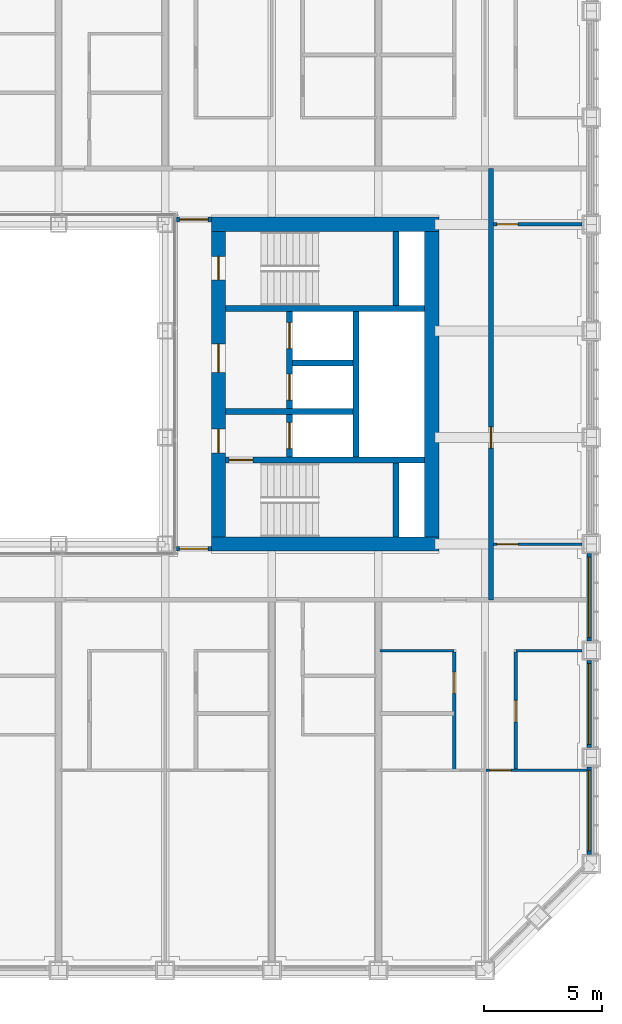
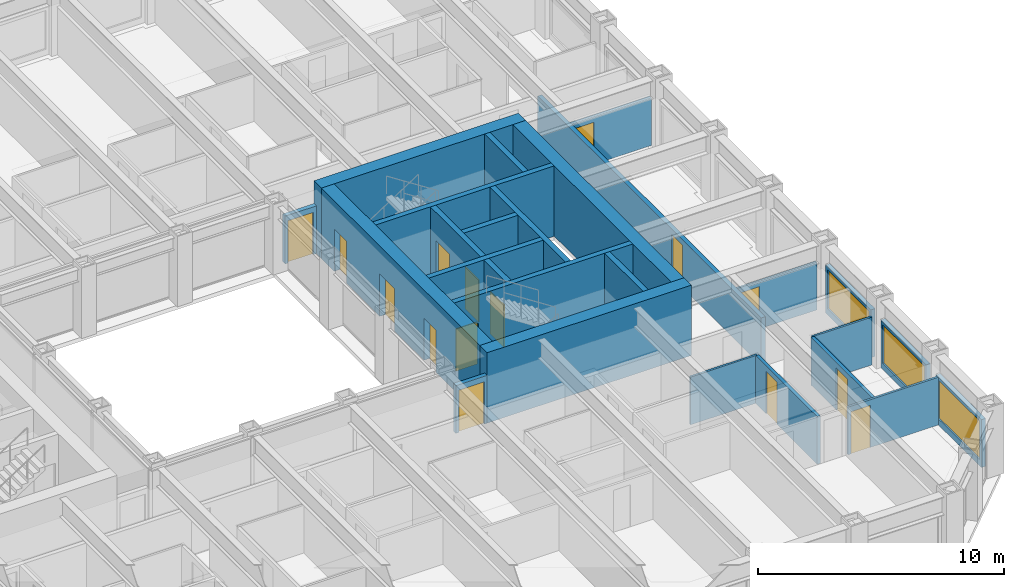
# One storey, part 12 of 21: 25 walls, 15 doors, 3 windows, 18 openings.
"""IFC4 building model written with IfcOpenShell, lengths in metres."""

from ifc_helpers import new_model, si_unit, direction, frame, frame_2d, origin, place, context, subcontext, project, spatial, rectangle, extrude, material, layer, layer_set, type_object, element, fill, save


model = new_model("IFC4")

# Units and contexts
model_context = context("Model", 3, precision=1e-05, world=origin(), true_north=direction((0.0, 1.0)))
body_context = subcontext(model_context, "Body", "Model", "MODEL_VIEW")
ifc_project = project(units=[si_unit("LENGTHUNIT", "METRE"), si_unit("AREAUNIT", "SQUARE_METRE"), si_unit("VOLUMEUNIT", "CUBIC_METRE"), si_unit("PLANEANGLEUNIT", "RADIAN"), si_unit("MASSUNIT", "GRAM", prefix="KILO")], contexts=[model_context])

# Site, building, storey
site_placement = place(None, origin())
site = spatial("IfcSite", under=ifc_project, at=site_placement, CompositionType="ELEMENT")
building_placement = place(site_placement, origin())
building = spatial("IfcBuilding", under=site, at=building_placement, Name="Msasa Ring Tower", CompositionType="ELEMENT")
storey_placement = place(building_placement, frame((0.0, 0.0, 40.5)))
storey = spatial("IfcBuildingStorey", under=building, at=storey_placement, Name="L09", CompositionType="ELEMENT", Elevation=40.5)

# Walls
ifc_material_1 = material(Name="Concrete C60/75", Category="concrete")
ifc_layer_1 = layer(ifc_material_1, 0.60009765625)
ifc_layer_set_1 = layer_set([ifc_layer_1], Name="CW1 CORE WALL 600")
wall_type_1 = type_object("IfcWallType", Name="CW1 CORE WALL 600", PredefinedType="SHEAR", material=ifc_layer_set_1)
for number, where, z_axis, x_axis, name in (
    (1, (8.699951171875, -6.75, 0.0), (0.0, 0.0, 1.0), (1.0, 0.0, 0.0), "E core wall S L09"),
    (2, (8.699951171875, 6.75, 0.0), (0.0, 0.0, 1.0), (1.0, 0.0, 0.0), "E core wall N L09"),
):
    element("IfcWall", number, at=place(storey_placement, frame(where, z_axis=z_axis, x_axis=x_axis)), inside=storey, type_object=wall_type_1, Name=name, PredefinedType="SHEAR", context=body_context, shape_type="SweptSolid", body=[
        extrude(rectangle(XDim=9.60009765625, YDim=0.60009765625, at=frame_2d((4.800048828125, 0.0))), origin(), (0.0, 0.0, 1.0), 3.5),
    ])

# Wall, openings, doors
wall_1_placement = place(storey_placement, frame((9.0, -6.449951171875, 0.0), z_axis=(0.0, 0.0, 1.0), x_axis=(0.0, 1.0, 0.0)))
wall_1 = element("IfcWall", 3, at=wall_1_placement, inside=storey, type_object=wall_type_1, Name="E core wall W L09", PredefinedType="SHEAR", context=body_context, shape_type="SweptSolid", body=[
    extrude(rectangle(XDim=12.89990234375, YDim=0.60009765625, at=frame_2d((6.449951171875, 0.0))), origin(), (0.0, 0.0, 1.0), 3.5),
])
opening_1_placement = place(wall_1_placement, frame((3.550048828125, 0.0, 0.0)))
opening_1 = element("IfcOpeningElement", 4, at=opening_1_placement, cuts=wall_1, Name="Opening RB-046", PredefinedType="OPENING", context=body_context, shape_type="SweptSolid", body=[
    extrude(rectangle(XDim=1.0, YDim=2.10009765625, at=frame_2d((0.5, 1.050048828125))), frame((0.0, 0.31005859375, 0.0), z_axis=(0.0, -1.0, 0.0), x_axis=(1.0, 0.0, 0.0)), (0.0, 0.0, 1.0), 0.6201171875),
])
opening_2_placement = place(wall_1_placement, frame((6.949951171875, 0.0, 0.0)))
opening_2 = element("IfcOpeningElement", 5, at=opening_2_placement, cuts=wall_1, Name="Opening RB-041", PredefinedType="OPENING", context=body_context, shape_type="SweptSolid", body=[
    extrude(rectangle(XDim=1.199951171875, YDim=2.10009765625, at=frame_2d((0.60009765625, 1.050048828125))), frame((0.0, 0.31005859375, 0.0), z_axis=(0.0, -1.0, 0.0), x_axis=(1.0, 0.0, 0.0)), (0.0, 0.0, 1.0), 0.6201171875),
])
opening_3_placement = place(wall_1_placement, frame((10.85009765625, 0.0, 0.0)))
opening_3 = element("IfcOpeningElement", 6, at=opening_3_placement, cuts=wall_1, Name="Opening RB-039", PredefinedType="OPENING", context=body_context, shape_type="SweptSolid", body=[
    extrude(rectangle(XDim=1.0, YDim=2.10009765625, at=frame_2d((0.5, 1.050048828125))), frame((0.0, 0.31005859375, 0.0), z_axis=(0.0, -1.0, 0.0), x_axis=(1.0, 0.0, 0.0)), (0.0, 0.0, 1.0), 0.6201171875),
])
ifc_material_2 = material(Name="Timber door leaf in a steel frame", Category="steel")
door_type_1 = type_object("IfcDoorType", Name="D4 LOBBY DOOR 1000x2100", OperationType="SINGLE_SWING_LEFT", PredefinedType="DOOR", material=ifc_material_2)
door_1_placement = place(opening_1_placement, origin())
door_1 = element("IfcDoor", 7, at=door_1_placement, inside=storey, type_object=door_type_1, Name="Door L09-EFFL", OperationType="SINGLE_SWING_LEFT", OverallHeight=2.10009765625, OverallWidth=1.0, PredefinedType="DOOR", context=body_context, shape_type="SweptSolid", body=[
    extrude(rectangle(XDim=1.0, YDim=2.10009765625, at=frame_2d((0.5, 1.050048828125))), frame((0.0, 0.02490234375, 0.0), z_axis=(0.0, -1.0, 0.0), x_axis=(1.0, 0.0, 0.0)), (0.0, 0.0, 1.0), 0.050048828125),
])
fill(opening_1, door_1)
ifc_material_3 = material(Name="Timber door leaf in a steel frame", Category="steel")
door_type_2 = type_object("IfcDoorType", Name="D5 WIDE LOBBY DOOR 1200x2100", OperationType="SINGLE_SWING_LEFT", PredefinedType="DOOR", material=ifc_material_3)
door_2_placement = place(opening_2_placement, origin())
door_2 = element("IfcDoor", 8, at=door_2_placement, inside=storey, type_object=door_type_2, Name="Door L09-ELL", OperationType="SINGLE_SWING_RIGHT", OverallHeight=2.10009765625, OverallWidth=1.199951171875, PredefinedType="DOOR", context=body_context, shape_type="SweptSolid", body=[
    extrude(rectangle(XDim=1.199951171875, YDim=2.10009765625, at=frame_2d((0.60009765625, 1.050048828125))), frame((0.0, 0.02490234375, 0.0), z_axis=(0.0, -1.0, 0.0), x_axis=(1.0, 0.0, 0.0)), (0.0, 0.0, 1.0), 0.050048828125),
])
fill(opening_2, door_2)
ifc_material_4 = material(Name="Timber door leaf in a steel frame", Category="steel")
door_type_3 = type_object("IfcDoorType", Name="D6 STAIR DOOR 1000x2100", OperationType="SINGLE_SWING_LEFT", PredefinedType="DOOR", material=ifc_material_4)
door_3_placement = place(opening_3_placement, origin())
door_3 = element("IfcDoor", 9, at=door_3_placement, inside=storey, type_object=door_type_3, Name="Door L09-ESTB", OperationType="SINGLE_SWING_RIGHT", OverallHeight=2.10009765625, OverallWidth=1.0, PredefinedType="DOOR", context=body_context, shape_type="SweptSolid", body=[
    extrude(rectangle(XDim=1.0, YDim=2.10009765625, at=frame_2d((0.5, 1.050048828125))), frame((0.0, 0.02490234375, 0.0), z_axis=(0.0, -1.0, 0.0), x_axis=(1.0, 0.0, 0.0)), (0.0, 0.0, 1.0), 0.050048828125),
])
fill(opening_3, door_3)

# Wall
wall_2_placement = place(storey_placement, frame((18.0, -6.449951171875, 0.0), z_axis=(0.0, 0.0, 1.0), x_axis=(0.0, 1.0, 0.0)))
element("IfcWall", 10, at=wall_2_placement, inside=storey, type_object=wall_type_1, Name="E core wall E L09", PredefinedType="SHEAR", context=body_context, shape_type="SweptSolid", body=[
    extrude(rectangle(XDim=12.89990234375, YDim=0.60009765625, at=frame_2d((6.449951171875, 0.0))), origin(), (0.0, 0.0, 1.0), 3.5),
])

# Wall, opening, door
ifc_material_5 = material(Name="Concrete C60/75", Category="concrete")
ifc_layer_2 = layer(ifc_material_5, 0.25)
ifc_layer_set_2 = layer_set([ifc_layer_2], Name="CW4 CORE INNER WALL 250")
wall_type_2 = type_object("IfcWallType", Name="CW4 CORE INNER WALL 250", PredefinedType="SHEAR", material=ifc_layer_set_2)
wall_3_placement = place(storey_placement, frame((9.300048828125, -3.199951171875, 0.0), z_axis=(0.0, 0.0, 1.0), x_axis=(1.0, 0.0, 0.0)))
wall_3 = element("IfcWall", 11, at=wall_3_placement, inside=storey, type_object=wall_type_2, Name="E core wall STAIRA L09", PredefinedType="SHEAR", context=body_context, shape_type="SweptSolid", body=[
    extrude(rectangle(XDim=8.39990234375, YDim=0.25, at=frame_2d((4.199951171875, 0.0))), origin(), (0.0, 0.0, 1.0), 3.5),
])
opening_4_placement = place(wall_3_placement, frame((0.14990234375, 0.0, 0.0)))
opening_4 = element("IfcOpeningElement", 12, at=opening_4_placement, cuts=wall_3, Name="Opening RB-048", PredefinedType="OPENING", context=body_context, shape_type="SweptSolid", body=[
    extrude(rectangle(XDim=1.0, YDim=2.10009765625, at=frame_2d((0.5, 1.050048828125))), frame((0.0, 0.135009765625, 0.0), z_axis=(0.0, -1.0, 0.0), x_axis=(1.0, 0.0, 0.0)), (0.0, 0.0, 1.0), 0.27001953125),
])
door_4_placement = place(opening_4_placement, origin())
door_4 = element("IfcDoor", 13, at=door_4_placement, inside=storey, type_object=door_type_3, Name="Door L09-ESTA", OperationType="SINGLE_SWING_LEFT", OverallHeight=2.10009765625, OverallWidth=1.0, PredefinedType="DOOR", context=body_context, shape_type="SweptSolid", body=[
    extrude(rectangle(XDim=1.0, YDim=2.10009765625, at=frame_2d((0.5, 1.050048828125))), frame((0.0, 0.02490234375, 0.0), z_axis=(0.0, -1.0, 0.0), x_axis=(1.0, 0.0, 0.0)), (0.0, 0.0, 1.0), 0.050048828125),
])
fill(opening_4, door_4)

# Walls
wall_4_placement = place(storey_placement, frame((9.300048828125, 3.199951171875, 0.0), z_axis=(0.0, 0.0, 1.0), x_axis=(1.0, 0.0, 0.0)))
element("IfcWall", 14, at=wall_4_placement, inside=storey, type_object=wall_type_2, Name="E core wall STAIRB L09", PredefinedType="SHEAR", context=body_context, shape_type="SweptSolid", body=[
    extrude(rectangle(XDim=8.39990234375, YDim=0.25, at=frame_2d((4.199951171875, 0.0))), origin(), (0.0, 0.0, 1.0), 3.5),
])
for number, where, z_axis, x_axis, name in (
    (15, (16.5, -6.449951171875, 0.0), (0.0, 0.0, 1.0), (0.0, 1.0, 0.0), "E core wall RISERA L09"),
    (16, (16.5, 3.324951171875, 0.0), (0.0, 0.0, 1.0), (0.0, 1.0, 0.0), "E core wall RISERB L09"),
):
    element("IfcWall", number, at=place(storey_placement, frame(where, z_axis=z_axis, x_axis=x_axis)), inside=storey, type_object=wall_type_2, Name=name, PredefinedType="SHEAR", context=body_context, shape_type="SweptSolid", body=[
        extrude(rectangle(XDim=3.125, YDim=0.25, at=frame_2d((1.5625, 0.0))), origin(), (0.0, 0.0, 1.0), 3.5),
    ])
wall_5_placement = place(storey_placement, frame((9.300048828125, -1.14990234375, 0.0), z_axis=(0.0, 0.0, 1.0), x_axis=(1.0, 0.0, 0.0)))
element("IfcWall", 17, at=wall_5_placement, inside=storey, type_object=wall_type_2, Name="E core wall FFL L09", PredefinedType="SHEAR", context=body_context, shape_type="SweptSolid", body=[
    extrude(rectangle(XDim=5.375, YDim=0.25, at=frame_2d((2.6875, 0.0))), origin(), (0.0, 0.0, 1.0), 3.5),
])

# Wall, openings, doors
wall_6_placement = place(storey_placement, frame((12.0, -3.074951171875, 0.0), z_axis=(0.0, 0.0, 1.0), x_axis=(0.0, 1.0, 0.0)))
wall_6 = element("IfcWall", 18, at=wall_6_placement, inside=storey, type_object=wall_type_2, Name="E core wall LOBBY L09", PredefinedType="SHEAR", context=body_context, shape_type="SweptSolid", body=[
    extrude(rectangle(XDim=6.14990234375, YDim=0.25, at=frame_2d((3.074951171875, 0.0))), origin(), (0.0, 0.0, 1.0), 3.5),
])
opening_5_placement = place(wall_6_placement, frame((0.35009765625, 0.0, 0.0)))
opening_5 = element("IfcOpeningElement", 19, at=opening_5_placement, cuts=wall_6, Name="Opening LD1", PredefinedType="OPENING", context=body_context, shape_type="SweptSolid", body=[
    extrude(rectangle(XDim=1.10009765625, YDim=2.10009765625, at=frame_2d((0.550048828125, 1.050048828125))), frame((0.0, 0.135009765625, 0.0), z_axis=(0.0, -1.0, 0.0), x_axis=(1.0, 0.0, 0.0)), (0.0, 0.0, 1.0), 0.27001953125),
])
opening_6_placement = place(wall_6_placement, frame((2.39990234375, 0.0, 0.0)))
opening_6 = element("IfcOpeningElement", 20, at=opening_6_placement, cuts=wall_6, Name="Opening LD1", PredefinedType="OPENING", context=body_context, shape_type="SweptSolid", body=[
    extrude(rectangle(XDim=1.10009765625, YDim=2.10009765625, at=frame_2d((0.550048828125, 1.050048828125))), frame((0.0, 0.135009765625, 0.0), z_axis=(0.0, -1.0, 0.0), x_axis=(1.0, 0.0, 0.0)), (0.0, 0.0, 1.0), 0.27001953125),
])
opening_7_placement = place(wall_6_placement, frame((4.574951171875, 0.0, 0.0)))
opening_7 = element("IfcOpeningElement", 21, at=opening_7_placement, cuts=wall_6, Name="Opening LD1", PredefinedType="OPENING", context=body_context, shape_type="SweptSolid", body=[
    extrude(rectangle(XDim=1.10009765625, YDim=2.10009765625, at=frame_2d((0.550048828125, 1.050048828125))), frame((0.0, 0.135009765625, 0.0), z_axis=(0.0, -1.0, 0.0), x_axis=(1.0, 0.0, 0.0)), (0.0, 0.0, 1.0), 0.27001953125),
])
ifc_material_6 = material(Name="Stainless steel lift landing door", Category="steel")
door_type_4 = type_object("IfcDoorType", Name="LD1 LIFT LANDING DOOR 1100x2100", OperationType="DOUBLE_DOOR_SLIDING", PredefinedType="DOOR", material=ifc_material_6)
door_5_placement = place(opening_5_placement, origin())
door_5 = element("IfcDoor", 22, at=door_5_placement, inside=storey, type_object=door_type_4, Name="Lift landing door FL-E L09", OperationType="DOUBLE_DOOR_SLIDING", OverallHeight=2.10009765625, OverallWidth=1.10009765625, PredefinedType="DOOR", context=body_context, shape_type="SweptSolid", body=[
    extrude(rectangle(XDim=1.10009765625, YDim=2.10009765625, at=frame_2d((0.550048828125, 1.050048828125))), frame((0.0, 0.02490234375, 0.0), z_axis=(0.0, -1.0, 0.0), x_axis=(1.0, 0.0, 0.0)), (0.0, 0.0, 1.0), 0.050048828125),
])
fill(opening_5, door_5)
door_6_placement = place(opening_6_placement, origin())
door_6 = element("IfcDoor", 23, at=door_6_placement, inside=storey, type_object=door_type_4, Name="Lift landing door PL-R1 L09", OperationType="DOUBLE_DOOR_SLIDING", OverallHeight=2.10009765625, OverallWidth=1.10009765625, PredefinedType="DOOR", context=body_context, shape_type="SweptSolid", body=[
    extrude(rectangle(XDim=1.10009765625, YDim=2.10009765625, at=frame_2d((0.550048828125, 1.050048828125))), frame((0.0, 0.02490234375, 0.0), z_axis=(0.0, -1.0, 0.0), x_axis=(1.0, 0.0, 0.0)), (0.0, 0.0, 1.0), 0.050048828125),
])
fill(opening_6, door_6)
door_7_placement = place(opening_7_placement, origin())
door_7 = element("IfcDoor", 24, at=door_7_placement, inside=storey, type_object=door_type_4, Name="Lift landing door PL-R2 L09", OperationType="DOUBLE_DOOR_SLIDING", OverallHeight=2.10009765625, OverallWidth=1.10009765625, PredefinedType="DOOR", context=body_context, shape_type="SweptSolid", body=[
    extrude(rectangle(XDim=1.10009765625, YDim=2.10009765625, at=frame_2d((0.550048828125, 1.050048828125))), frame((0.0, 0.02490234375, 0.0), z_axis=(0.0, -1.0, 0.0), x_axis=(1.0, 0.0, 0.0)), (0.0, 0.0, 1.0), 0.050048828125),
])
fill(opening_7, door_7)

# Walls
wall_7_placement = place(storey_placement, frame((14.800048828125, -3.074951171875, 0.0), z_axis=(0.0, 0.0, 1.0), x_axis=(0.0, 1.0, 0.0)))
element("IfcWall", 25, at=wall_7_placement, inside=storey, type_object=wall_type_2, Name="E core wall SHAFT L09", PredefinedType="SHEAR", context=body_context, shape_type="SweptSolid", body=[
    extrude(rectangle(XDim=6.14990234375, YDim=0.25, at=frame_2d((3.074951171875, 0.0))), origin(), (0.0, 0.0, 1.0), 3.5),
])
wall_8_placement = place(storey_placement, frame((12.125, 0.89990234375, 0.0), z_axis=(0.0, 0.0, 1.0), x_axis=(1.0, 0.0, 0.0)))
element("IfcWall", 26, at=wall_8_placement, inside=storey, type_object=wall_type_2, Name="E core wall LIFT1 L09", PredefinedType="SHEAR", context=body_context, shape_type="SweptSolid", body=[
    extrude(rectangle(XDim=2.550048828125, YDim=0.25, at=frame_2d((1.27490234375, 0.0))), origin(), (0.0, 0.0, 1.0), 3.5),
])

# Wall, opening, window
ifc_material_7 = material(Name="Terracotta rainscreen on blockwork", Category="masonry")
ifc_layer_3 = layer(ifc_material_7, 0.199951171875)
ifc_layer_set_3 = layer_set([ifc_layer_3], Name="FW1 TERRACOTTA-LINED INFILL BAY WALL 200")
wall_type_3 = type_object("IfcWallType", Name="FW1 TERRACOTTA-LINED INFILL BAY WALL 200", PredefinedType="SOLIDWALL", material=ifc_layer_set_3)
wall_9_placement = place(storey_placement, frame((24.64990234375, -19.844970703125, 0.0), z_axis=(0.0, 0.0, 1.0), x_axis=(0.0, 1.0, 0.0)))
wall_9 = element("IfcWall", 27, at=wall_9_placement, inside=storey, type_object=wall_type_3, Name="Infill bay wall E L09 11", PredefinedType="SOLIDWALL", context=body_context, shape_type="SweptSolid", body=[
    extrude(rectangle(XDim=3.68994140625, YDim=0.199951171875, at=frame_2d((1.844970703125, 0.0))), origin(), (0.0, 0.0, 1.0), 2.37890625),
])
opening_8_placement = place(wall_9_placement, frame((0.14501953125, 0.0, 0.300048828125)))
opening_8 = element("IfcOpeningElement", 28, at=opening_8_placement, cuts=wall_9, Name="Opening WN1", PredefinedType="OPENING", context=body_context, shape_type="SweptSolid", body=[
    extrude(rectangle(XDim=3.39990234375, YDim=1.928955078125, at=frame_2d((1.699951171875, 0.96435546875))), frame((0.0, 0.10986328125, 0.0), z_axis=(0.0, -1.0, 0.0), x_axis=(1.0, 0.0, 0.0)), (0.0, 0.0, 1.0), 0.219970703125),
])
ifc_material_8 = material(Name="Aluminium frame with clear glass", Category="aluminium")
window_type = type_object("IfcWindowType", Name="WN1 RESIDENCE WINDOW 3400x1929", PartitioningType="SINGLE_PANEL", PredefinedType="WINDOW", material=ifc_material_8)
window_1_placement = place(opening_8_placement, origin())
window_1 = element("IfcWindow", 29, at=window_1_placement, inside=storey, type_object=window_type, Name="Window E L09 11", OverallHeight=1.928955078125, OverallWidth=3.39990234375, PartitioningType="SINGLE_PANEL", PredefinedType="WINDOW", context=body_context, shape_type="SweptSolid", body=[
    extrude(rectangle(XDim=3.39990234375, YDim=1.928955078125, at=frame_2d((1.699951171875, 0.96435546875))), frame((0.0, 0.030029296875, 0.0), z_axis=(0.0, -1.0, 0.0), x_axis=(1.0, 0.0, 0.0)), (0.0, 0.0, 1.0), 0.06005859375),
])
fill(opening_8, window_1)

wall_10_placement = place(storey_placement, frame((24.64990234375, -15.344970703125, 0.0), z_axis=(0.0, 0.0, 1.0), x_axis=(0.0, 1.0, 0.0)))
wall_10 = element("IfcWall", 30, at=wall_10_placement, inside=storey, type_object=wall_type_3, Name="Infill bay wall E L09 12", PredefinedType="SOLIDWALL", context=body_context, shape_type="SweptSolid", body=[
    extrude(rectangle(XDim=3.68994140625, YDim=0.199951171875, at=frame_2d((1.844970703125, 0.0))), origin(), (0.0, 0.0, 1.0), 2.37890625),
])
opening_9_placement = place(wall_10_placement, frame((0.14501953125, 0.0, 0.300048828125)))
opening_9 = element("IfcOpeningElement", 31, at=opening_9_placement, cuts=wall_10, Name="Opening WN1", PredefinedType="OPENING", context=body_context, shape_type="SweptSolid", body=[
    extrude(rectangle(XDim=3.39990234375, YDim=1.928955078125, at=frame_2d((1.699951171875, 0.96435546875))), frame((0.0, 0.10986328125, 0.0), z_axis=(0.0, -1.0, 0.0), x_axis=(1.0, 0.0, 0.0)), (0.0, 0.0, 1.0), 0.219970703125),
])
window_2_placement = place(opening_9_placement, origin())
window_2 = element("IfcWindow", 32, at=window_2_placement, inside=storey, type_object=window_type, Name="Window E L09 12", OverallHeight=1.928955078125, OverallWidth=3.39990234375, PartitioningType="SINGLE_PANEL", PredefinedType="WINDOW", context=body_context, shape_type="SweptSolid", body=[
    extrude(rectangle(XDim=3.39990234375, YDim=1.928955078125, at=frame_2d((1.699951171875, 0.96435546875))), frame((0.0, 0.030029296875, 0.0), z_axis=(0.0, -1.0, 0.0), x_axis=(1.0, 0.0, 0.0)), (0.0, 0.0, 1.0), 0.06005859375),
])
fill(opening_9, window_2)

wall_11_placement = place(storey_placement, frame((24.64990234375, -10.844970703125, 0.0), z_axis=(0.0, 0.0, 1.0), x_axis=(0.0, 1.0, 0.0)))
wall_11 = element("IfcWall", 33, at=wall_11_placement, inside=storey, type_object=wall_type_3, Name="Infill bay wall E L09 13", PredefinedType="SOLIDWALL", context=body_context, shape_type="SweptSolid", body=[
    extrude(rectangle(XDim=3.68994140625, YDim=0.199951171875, at=frame_2d((1.844970703125, 0.0))), origin(), (0.0, 0.0, 1.0), 2.37890625),
])
opening_10_placement = place(wall_11_placement, frame((0.14501953125, 0.0, 0.300048828125)))
opening_10 = element("IfcOpeningElement", 34, at=opening_10_placement, cuts=wall_11, Name="Opening WN1", PredefinedType="OPENING", context=body_context, shape_type="SweptSolid", body=[
    extrude(rectangle(XDim=3.39990234375, YDim=1.928955078125, at=frame_2d((1.699951171875, 0.96435546875))), frame((0.0, 0.10986328125, 0.0), z_axis=(0.0, -1.0, 0.0), x_axis=(1.0, 0.0, 0.0)), (0.0, 0.0, 1.0), 0.219970703125),
])
window_3_placement = place(opening_10_placement, origin())
window_3 = element("IfcWindow", 35, at=window_3_placement, inside=storey, type_object=window_type, Name="Window E L09 13", OverallHeight=1.928955078125, OverallWidth=3.39990234375, PartitioningType="SINGLE_PANEL", PredefinedType="WINDOW", context=body_context, shape_type="SweptSolid", body=[
    extrude(rectangle(XDim=3.39990234375, YDim=1.928955078125, at=frame_2d((1.699951171875, 0.96435546875))), frame((0.0, 0.030029296875, 0.0), z_axis=(0.0, -1.0, 0.0), x_axis=(1.0, 0.0, 0.0)), (0.0, 0.0, 1.0), 0.06005859375),
])
fill(opening_10, window_3)

# Wall, opening, door
ifc_material_9 = material(Name="Concrete blockwork", Category="masonry")
ifc_layer_4 = layer(ifc_material_9, 0.199951171875)
ifc_layer_set_4 = layer_set([ifc_layer_4], Name="PT1 CORRIDOR WALL 200")
wall_type_4 = type_object("IfcWallType", Name="PT1 CORRIDOR WALL 200", PredefinedType="PARTITIONING", material=ifc_layer_set_4)
wall_12_placement = place(storey_placement, frame((7.22998046875, 6.949951171875, 0.0), z_axis=(0.0, 0.0, 1.0), x_axis=(1.0, 0.0, 0.0)))
wall_12 = element("IfcWall", 36, at=wall_12_placement, inside=storey, type_object=wall_type_4, Name="Corridor wall L09-SDEN", PredefinedType="PARTITIONING", context=body_context, shape_type="SweptSolid", body=[
    extrude(rectangle(XDim=1.469970703125, YDim=0.199951171875, at=frame_2d((0.73486328125, 0.0))), origin(), (0.0, 0.0, 1.0), 2.373291015625),
])
opening_11_placement = place(wall_12_placement, frame((0.135009765625, 0.0, 0.0)))
opening_11 = element("IfcOpeningElement", 37, at=opening_11_placement, cuts=wall_12, Name="Opening RB-035", PredefinedType="OPENING", context=body_context, shape_type="SweptSolid", body=[
    extrude(rectangle(XDim=1.199951171875, YDim=2.10009765625, at=frame_2d((0.60009765625, 1.050048828125))), frame((0.0, 0.10986328125, 0.0), z_axis=(0.0, -1.0, 0.0), x_axis=(1.0, 0.0, 0.0)), (0.0, 0.0, 1.0), 0.219970703125),
])
ifc_material_10 = material(Name="Timber door leaf in a steel frame", Category="steel")
door_type_5 = type_object("IfcDoorType", Name="D25 CORRIDOR PAIR OF SMOKE DOORS 1200x2100", OperationType="DOUBLE_DOOR_DOUBLE_SWING", PredefinedType="DOOR", material=ifc_material_10)
door_8_placement = place(opening_11_placement, origin())
door_8 = element("IfcDoor", 38, at=door_8_placement, inside=storey, type_object=door_type_5, Name="Door L09-SDEN", OperationType="DOUBLE_DOOR_DOUBLE_SWING", OverallHeight=2.10009765625, OverallWidth=1.199951171875, PredefinedType="DOOR", context=body_context, shape_type="SweptSolid", body=[
    extrude(rectangle(XDim=1.199951171875, YDim=2.10009765625, at=frame_2d((0.60009765625, 1.050048828125))), frame((0.0, 0.02490234375, 0.0), z_axis=(0.0, -1.0, 0.0), x_axis=(1.0, 0.0, 0.0)), (0.0, 0.0, 1.0), 0.050048828125),
])
fill(opening_11, door_8)

wall_13_placement = place(storey_placement, frame((7.22998046875, -6.949951171875, 0.0), z_axis=(0.0, 0.0, 1.0), x_axis=(1.0, 0.0, 0.0)))
wall_13 = element("IfcWall", 39, at=wall_13_placement, inside=storey, type_object=wall_type_4, Name="Corridor wall L09-SDES", PredefinedType="PARTITIONING", context=body_context, shape_type="SweptSolid", body=[
    extrude(rectangle(XDim=1.469970703125, YDim=0.199951171875, at=frame_2d((0.73486328125, 0.0))), origin(), (0.0, 0.0, 1.0), 2.373291015625),
])
opening_12_placement = place(wall_13_placement, frame((0.135009765625, 0.0, 0.0)))
opening_12 = element("IfcOpeningElement", 40, at=opening_12_placement, cuts=wall_13, Name="Opening RB-052", PredefinedType="OPENING", context=body_context, shape_type="SweptSolid", body=[
    extrude(rectangle(XDim=1.199951171875, YDim=2.10009765625, at=frame_2d((0.60009765625, 1.050048828125))), frame((0.0, 0.10986328125, 0.0), z_axis=(0.0, -1.0, 0.0), x_axis=(1.0, 0.0, 0.0)), (0.0, 0.0, 1.0), 0.219970703125),
])
door_9_placement = place(opening_12_placement, origin())
door_9 = element("IfcDoor", 41, at=door_9_placement, inside=storey, type_object=door_type_5, Name="Door L09-SDES", OperationType="DOUBLE_DOOR_DOUBLE_SWING", OverallHeight=2.10009765625, OverallWidth=1.199951171875, PredefinedType="DOOR", context=body_context, shape_type="SweptSolid", body=[
    extrude(rectangle(XDim=1.199951171875, YDim=2.10009765625, at=frame_2d((0.60009765625, 1.050048828125))), frame((0.0, 0.02490234375, 0.0), z_axis=(0.0, -1.0, 0.0), x_axis=(1.0, 0.0, 0.0)), (0.0, 0.0, 1.0), 0.050048828125),
])
fill(opening_12, door_9)

wall_14_placement = place(storey_placement, frame((20.5, -9.10009765625, 0.0), z_axis=(0.0, 0.0, 1.0), x_axis=(0.0, 1.0, 0.0)))
wall_14 = element("IfcWall", 42, at=wall_14_placement, inside=storey, type_object=wall_type_4, Name="Corridor wall L09-STRE", PredefinedType="PARTITIONING", context=body_context, shape_type="SweptSolid", body=[
    extrude(rectangle(XDim=18.2001953125, YDim=0.199951171875, at=frame_2d((9.10009765625, 0.0))), origin(), (0.0, 0.0, 1.0), 2.373291015625),
])
opening_13_placement = place(wall_14_placement, frame((6.39990234375, 0.0, 0.0)))
opening_13 = element("IfcOpeningElement", 43, at=opening_13_placement, cuts=wall_14, Name="Opening RB-044", PredefinedType="OPENING", context=body_context, shape_type="SweptSolid", body=[
    extrude(rectangle(XDim=0.89990234375, YDim=2.10009765625, at=frame_2d((0.449951171875, 1.050048828125))), frame((0.0, 0.10986328125, 0.0), z_axis=(0.0, -1.0, 0.0), x_axis=(1.0, 0.0, 0.0)), (0.0, 0.0, 1.0), 0.219970703125),
])
ifc_material_11 = material(Name="Timber door leaf in a steel frame", Category="steel")
door_type_6 = type_object("IfcDoorType", Name="D2 ENTRANCE DOOR 900x2100", OperationType="SINGLE_SWING_LEFT", PredefinedType="DOOR", material=ifc_material_11)
door_10_placement = place(opening_13_placement, origin())
door_10 = element("IfcDoor", 44, at=door_10_placement, inside=storey, type_object=door_type_6, Name="Door L09-STE", OperationType="SINGLE_SWING_LEFT", OverallHeight=2.10009765625, OverallWidth=0.89990234375, PredefinedType="DOOR", context=body_context, shape_type="SweptSolid", body=[
    extrude(rectangle(XDim=0.89990234375, YDim=2.10009765625, at=frame_2d((0.449951171875, 1.050048828125))), frame((0.0, 0.02490234375, 0.0), z_axis=(0.0, -1.0, 0.0), x_axis=(1.0, 0.0, 0.0)), (0.0, 0.0, 1.0), 0.050048828125),
])
fill(opening_13, door_10)

# Wall
ifc_material_12 = material(Name="Gypsum board on steel studs", Category="steel")
ifc_layer_5 = layer(ifc_material_12, 0.10009765625)
ifc_layer_set_5 = layer_set([ifc_layer_5], Name="PT2 STUD PARTITION 100")
wall_type_5 = type_object("IfcWallType", Name="PT2 STUD PARTITION 100", PredefinedType="PARTITIONING", material=ifc_layer_set_5)
wall_15_placement = place(storey_placement, frame((21.550048828125, -11.25, 0.0), z_axis=(0.0, 0.0, 1.0), x_axis=(1.0, 0.0, 0.0)))
element("IfcWall", 45, at=wall_15_placement, inside=storey, type_object=wall_type_5, Name="Partition L09-US06HY0", PredefinedType="PARTITIONING", context=body_context, shape_type="SweptSolid", body=[
    extrude(rectangle(XDim=2.800048828125, YDim=0.10009765625, at=frame_2d((1.39990234375, 0.0))), origin(), (0.0, 0.0, 1.0), 2.373291015625),
])

# Wall, opening, door
wall_16_placement = place(storey_placement, frame((20.300048828125, -16.300048828125, 0.0), z_axis=(0.0, 0.0, 1.0), x_axis=(1.0, 0.0, 0.0)))
wall_16 = element("IfcWall", 46, at=wall_16_placement, inside=storey, type_object=wall_type_5, Name="Partition L09-US06SY0", PredefinedType="PARTITIONING", context=body_context, shape_type="SweptSolid", body=[
    extrude(rectangle(XDim=4.25, YDim=0.10009765625, at=frame_2d((2.125, 0.0))), origin(), (0.0, 0.0, 1.0), 2.373291015625),
])
opening_14_placement = place(wall_16_placement, frame((0.14990234375, 0.0, 0.0)))
opening_14 = element("IfcOpeningElement", 47, at=opening_14_placement, cuts=wall_16, Name="Opening RB-085", PredefinedType="OPENING", context=body_context, shape_type="SweptSolid", body=[
    extrude(rectangle(XDim=0.89990234375, YDim=2.10009765625, at=frame_2d((0.449951171875, 1.050048828125))), frame((0.0, 0.06005859375, 0.0), z_axis=(0.0, -1.0, 0.0), x_axis=(1.0, 0.0, 0.0)), (0.0, 0.0, 1.0), 0.1201171875),
])
ifc_material_13 = material(Name="Timber door leaf in a steel frame", Category="steel")
door_type_7 = type_object("IfcDoorType", Name="D22 INTERNAL HALL DOOR 900x2100", OperationType="SINGLE_SWING_LEFT", PredefinedType="DOOR", material=ifc_material_13)
door_11_placement = place(opening_14_placement, origin())
door_11 = element("IfcDoor", 48, at=door_11_placement, inside=storey, type_object=door_type_7, Name="Door L09-US06L", OperationType="SINGLE_SWING_LEFT", OverallHeight=2.10009765625, OverallWidth=0.89990234375, PredefinedType="DOOR", context=body_context, shape_type="SweptSolid", body=[
    extrude(rectangle(XDim=0.89990234375, YDim=2.10009765625, at=frame_2d((0.449951171875, 1.050048828125))), frame((0.0, 0.02490234375, 0.0), z_axis=(0.0, -1.0, 0.0), x_axis=(1.0, 0.0, 0.0)), (0.0, 0.0, 1.0), 0.050048828125),
])
fill(opening_14, door_11)

# Wall
wall_17_placement = place(storey_placement, frame((15.81005859375, -11.25, 0.0), z_axis=(0.0, 0.0, 1.0), x_axis=(1.0, 0.0, 0.0)))
element("IfcWall", 49, at=wall_17_placement, inside=storey, type_object=wall_type_5, Name="Partition L09-US06HY1", PredefinedType="PARTITIONING", context=body_context, shape_type="SweptSolid", body=[
    extrude(rectangle(XDim=3.139892578125, YDim=0.10009765625, at=frame_2d((1.56982421875, 0.0))), origin(), (0.0, 0.0, 1.0), 2.373291015625),
])

# Wall, opening, door
wall_18_placement = place(storey_placement, frame((20.60009765625, -6.75, 0.0), z_axis=(0.0, 0.0, 1.0), x_axis=(1.0, 0.0, 0.0)))
wall_18 = element("IfcWall", 50, at=wall_18_placement, inside=storey, type_object=wall_type_5, Name="Partition L09-STEKY", PredefinedType="PARTITIONING", context=body_context, shape_type="SweptSolid", body=[
    extrude(rectangle(XDim=3.75, YDim=0.10009765625, at=frame_2d((1.875, 0.0))), origin(), (0.0, 0.0, 1.0), 2.373291015625),
])
opening_15_placement = place(wall_18_placement, frame((0.14990234375, 0.0, 0.0)))
opening_15 = element("IfcOpeningElement", 51, at=opening_15_placement, cuts=wall_18, Name="Opening RB-050", PredefinedType="OPENING", context=body_context, shape_type="SweptSolid", body=[
    extrude(rectangle(XDim=0.89990234375, YDim=2.10009765625, at=frame_2d((0.449951171875, 1.050048828125))), frame((0.0, 0.06005859375, 0.0), z_axis=(0.0, -1.0, 0.0), x_axis=(1.0, 0.0, 0.0)), (0.0, 0.0, 1.0), 0.1201171875),
])
door_12_placement = place(opening_15_placement, origin())
door_12 = element("IfcDoor", 52, at=door_12_placement, inside=storey, type_object=door_type_7, Name="Door L09-STEK", OperationType="SINGLE_SWING_LEFT", OverallHeight=2.10009765625, OverallWidth=0.89990234375, PredefinedType="DOOR", context=body_context, shape_type="SweptSolid", body=[
    extrude(rectangle(XDim=0.89990234375, YDim=2.10009765625, at=frame_2d((0.449951171875, 1.050048828125))), frame((0.0, 0.02490234375, 0.0), z_axis=(0.0, -1.0, 0.0), x_axis=(1.0, 0.0, 0.0)), (0.0, 0.0, 1.0), 0.050048828125),
])
fill(opening_15, door_12)

ifc_material_14 = material(Name="Moisture-resistant board on steel studs with a concealed cistern and pipe void, tiled", Category="steel")
ifc_layer_6 = layer(ifc_material_14, 0.14990234375)
ifc_layer_set_6 = layer_set([ifc_layer_6], Name="PT4 BATHROOM WET WALL 150")
wall_type_6 = type_object("IfcWallType", Name="PT4 BATHROOM WET WALL 150", PredefinedType="PARTITIONING", material=ifc_layer_set_6)
wall_19_placement = place(storey_placement, frame((21.550048828125, -16.300048828125, 0.0), z_axis=(0.0, 0.0, 1.0), x_axis=(0.0, 1.0, 0.0)))
wall_19 = element("IfcWall", 53, at=wall_19_placement, inside=storey, type_object=wall_type_6, Name="Partition L09-US06SX0", PredefinedType="PARTITIONING", context=body_context, shape_type="SweptSolid", body=[
    extrude(rectangle(XDim=5.0, YDim=0.14990234375, at=frame_2d((2.5, 0.0))), origin(), (0.0, 0.0, 1.0), 2.373291015625),
])
opening_16_placement = place(wall_19_placement, frame((2.050048828125, 0.0, 0.0)))
opening_16 = element("IfcOpeningElement", 54, at=opening_16_placement, cuts=wall_19, Name="Opening RB-073", PredefinedType="OPENING", context=body_context, shape_type="SweptSolid", body=[
    extrude(rectangle(XDim=0.89990234375, YDim=2.10009765625, at=frame_2d((0.449951171875, 1.050048828125))), frame((0.0, 0.0849609375, 0.0), z_axis=(0.0, -1.0, 0.0), x_axis=(1.0, 0.0, 0.0)), (0.0, 0.0, 1.0), 0.169921875),
])
door_13_placement = place(opening_16_placement, origin())
door_13 = element("IfcDoor", 55, at=door_13_placement, inside=storey, type_object=door_type_7, Name="Door L09-US06K", OperationType="SINGLE_SWING_LEFT", OverallHeight=2.10009765625, OverallWidth=0.89990234375, PredefinedType="DOOR", context=body_context, shape_type="SweptSolid", body=[
    extrude(rectangle(XDim=0.89990234375, YDim=2.10009765625, at=frame_2d((0.449951171875, 1.050048828125))), frame((0.0, 0.02490234375, 0.0), z_axis=(0.0, -1.0, 0.0), x_axis=(1.0, 0.0, 0.0)), (0.0, 0.0, 1.0), 0.050048828125),
])
fill(opening_16, door_13)

wall_20_placement = place(storey_placement, frame((18.949951171875, -16.300048828125, 0.0), z_axis=(0.0, 0.0, 1.0), x_axis=(0.0, 1.0, 0.0)))
wall_20 = element("IfcWall", 56, at=wall_20_placement, inside=storey, type_object=wall_type_6, Name="Partition L09-US06SX1", PredefinedType="PARTITIONING", context=body_context, shape_type="SweptSolid", body=[
    extrude(rectangle(XDim=5.0, YDim=0.14990234375, at=frame_2d((2.5, 0.0))), origin(), (0.0, 0.0, 1.0), 2.373291015625),
])
opening_17_placement = place(wall_20_placement, frame((3.25, 0.0, 0.0)))
opening_17 = element("IfcOpeningElement", 57, at=opening_17_placement, cuts=wall_20, Name="Opening RB-066", PredefinedType="OPENING", context=body_context, shape_type="SweptSolid", body=[
    extrude(rectangle(XDim=0.89990234375, YDim=2.10009765625, at=frame_2d((0.449951171875, 1.050048828125))), frame((0.0, 0.0849609375, 0.0), z_axis=(0.0, -1.0, 0.0), x_axis=(1.0, 0.0, 0.0)), (0.0, 0.0, 1.0), 0.169921875),
])
ifc_material_15 = material(Name="Timber door leaf in a steel frame", Category="steel")
door_type_8 = type_object("IfcDoorType", Name="D3 BATHROOM DOOR 900x2100", OperationType="SINGLE_SWING_LEFT", PredefinedType="DOOR", material=ifc_material_15)
door_14_placement = place(opening_17_placement, origin())
door_14 = element("IfcDoor", 58, at=door_14_placement, inside=storey, type_object=door_type_8, Name="Door L09-US06B1", OperationType="SINGLE_SWING_RIGHT", OverallHeight=2.10009765625, OverallWidth=0.89990234375, PredefinedType="DOOR", context=body_context, shape_type="SweptSolid", body=[
    extrude(rectangle(XDim=0.89990234375, YDim=2.10009765625, at=frame_2d((0.449951171875, 1.050048828125))), frame((0.0, 0.02490234375, 0.0), z_axis=(0.0, -1.0, 0.0), x_axis=(1.0, 0.0, 0.0)), (0.0, 0.0, 1.0), 0.050048828125),
])
fill(opening_17, door_14)

wall_21_placement = place(storey_placement, frame((20.60009765625, 6.75, 0.0), z_axis=(0.0, 0.0, 1.0), x_axis=(1.0, 0.0, 0.0)))
wall_21 = element("IfcWall", 59, at=wall_21_placement, inside=storey, type_object=wall_type_6, Name="Partition L09-STEBY", PredefinedType="PARTITIONING", context=body_context, shape_type="SweptSolid", body=[
    extrude(rectangle(XDim=3.75, YDim=0.14990234375, at=frame_2d((1.875, 0.0))), origin(), (0.0, 0.0, 1.0), 2.373291015625),
])
opening_18_placement = place(wall_21_placement, frame((0.14990234375, 0.0, 0.0)))
opening_18 = element("IfcOpeningElement", 60, at=opening_18_placement, cuts=wall_21, Name="Opening RB-037", PredefinedType="OPENING", context=body_context, shape_type="SweptSolid", body=[
    extrude(rectangle(XDim=0.89990234375, YDim=2.10009765625, at=frame_2d((0.449951171875, 1.050048828125))), frame((0.0, 0.0849609375, 0.0), z_axis=(0.0, -1.0, 0.0), x_axis=(1.0, 0.0, 0.0)), (0.0, 0.0, 1.0), 0.169921875),
])
door_15_placement = place(opening_18_placement, origin())
door_15 = element("IfcDoor", 61, at=door_15_placement, inside=storey, type_object=door_type_8, Name="Door L09-STEB", OperationType="SINGLE_SWING_LEFT", OverallHeight=2.10009765625, OverallWidth=0.89990234375, PredefinedType="DOOR", context=body_context, shape_type="SweptSolid", body=[
    extrude(rectangle(XDim=0.89990234375, YDim=2.10009765625, at=frame_2d((0.449951171875, 1.050048828125))), frame((0.0, 0.02490234375, 0.0), z_axis=(0.0, -1.0, 0.0), x_axis=(1.0, 0.0, 0.0)), (0.0, 0.0, 1.0), 0.050048828125),
])
fill(opening_18, door_15)

save(model, "model.ifc")
